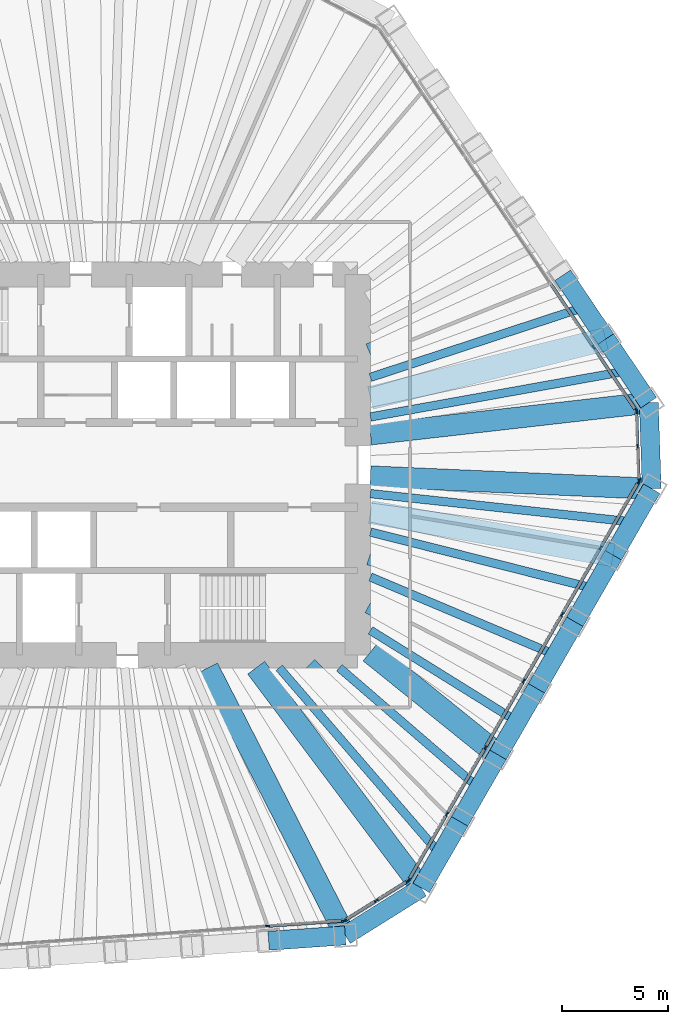
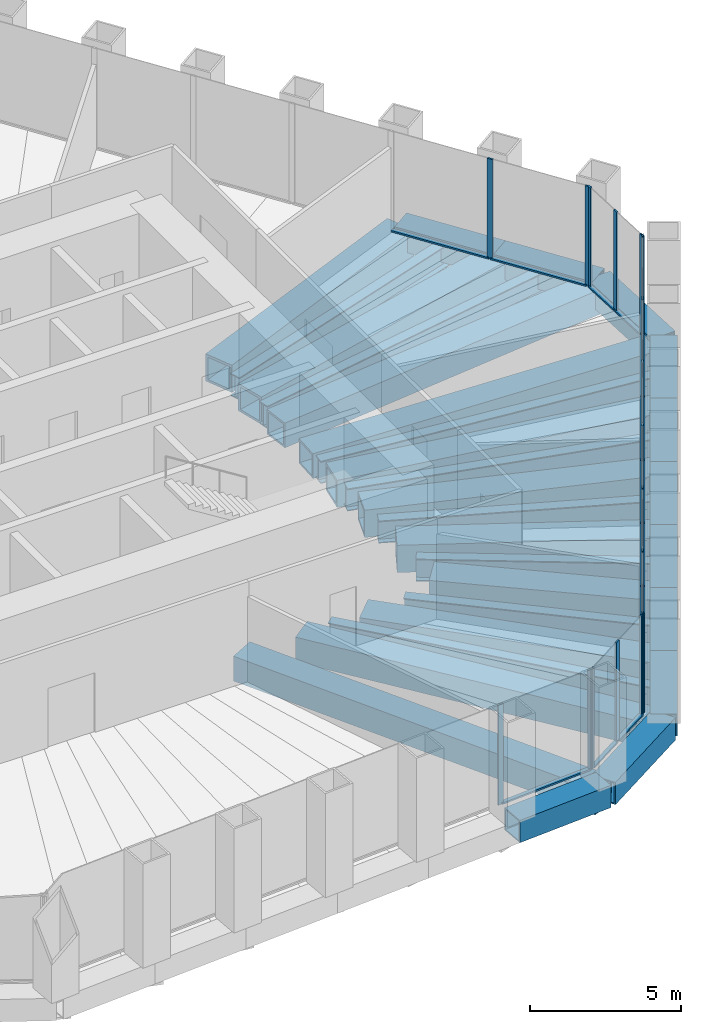
# One storey, part 4 of 12: 30 beams, 30 members, 5 elements without a shape of their own.
"""IFC4 building model written with IfcOpenShell, lengths in metres."""

from ifc_helpers import new_model, si_unit, direction, frame, origin, origin_2d, place, context, subcontext, project, spatial, rectangle, hollow_rectangle, i_section, extrude, material, material_profile, profile_set, type_object, element, aggregate, save


model = new_model("IFC4")

# Units and contexts
model_context = context("Model", 3, precision=1e-05, world=origin(), true_north=direction((0.0, 1.0)))
body_context = subcontext(model_context, "Body", "Model", "MODEL_VIEW")
ifc_project = project(units=[si_unit("LENGTHUNIT", "METRE"), si_unit("AREAUNIT", "SQUARE_METRE"), si_unit("VOLUMEUNIT", "CUBIC_METRE"), si_unit("PLANEANGLEUNIT", "RADIAN"), si_unit("MASSUNIT", "GRAM", prefix="KILO")], contexts=[model_context])

# Site, building, storey
site_placement = place(None, origin())
site = spatial("IfcSite", under=ifc_project, at=site_placement, CompositionType="ELEMENT")
building_placement = place(site_placement, origin())
building = spatial("IfcBuilding", under=site, at=building_placement, Name="Qingtian Harvest Tower", CompositionType="ELEMENT")
storey_placement = place(building_placement, frame((0.0, 0.0, 184.60009765625)))
storey = spatial("IfcBuildingStorey", under=building, at=storey_placement, Name="L39", CompositionType="ELEMENT", Elevation=184.60009765625)

# Beams
ifc_material_1 = material(Name="Steel SN490B", Category="steel")
ifc_material_profile_1 = material_profile(ifc_material_1, i_section(OverallWidth=0.39990234375, OverallDepth=0.89990234375, WebThickness=0.01904296875, FlangeThickness=0.035888671875, at=origin_2d()), Name="H900x400x19x36")
ifc_profile_set_1 = profile_set([ifc_material_profile_1], Name="Steel SN490B")
beam_type_1 = type_object("IfcBeamType", Name="Floor joist J4 H900x400x19x36", PredefinedType="JOIST", material=ifc_profile_set_1)
beam_1_placement = place(storey_placement, frame((22.71484375, 7.454833984375, -0.6201171875), z_axis=(-0.950138567513, -0.311828001508, 0.0), x_axis=(0.311828001508, -0.950138567513, 0.0)))
element("IfcBeam", 1, at=beam_1_placement, inside=storey, type_object=beam_type_1, Name="Floor joist J4 NE4", PredefinedType="JOIST", context=body_context, shape_type="SweptSolid", body=[
    extrude(i_section(OverallWidth=0.39990234375, OverallDepth=0.89990234375, WebThickness=0.01904296875, FlangeThickness=0.035888671875, at=origin_2d()), origin(), (0.0, 0.0, 1.0), 10.6455078125),
])
beam_2_placement = place(storey_placement, frame((24.74658203125, 4.4423828125, -0.6201171875), z_axis=(-0.98426723745, -0.176686177393, 0.0), x_axis=(0.176686177393, -0.98426723745, 0.0)))
element("IfcBeam", 2, at=beam_2_placement, inside=storey, type_object=beam_type_1, Name="Floor joist J4 NE5", PredefinedType="JOIST", context=body_context, shape_type="SweptSolid", body=[
    extrude(i_section(OverallWidth=0.39990234375, OverallDepth=0.89990234375, WebThickness=0.01904296875, FlangeThickness=0.035888671875, at=origin_2d()), origin(), (0.0, 0.0, 1.0), 12.340576171875),
])
beam_3_placement = place(storey_placement, frame((24.99609375, -2.705322265625, -0.6201171875), z_axis=(-0.994194656298, 0.107596400448, 0.0), x_axis=(-0.107596400448, -0.994194656298, 0.0)))
element("IfcBeam", 3, at=beam_3_placement, inside=storey, type_object=beam_type_1, Name="Floor joist J4 SE0", PredefinedType="JOIST", context=body_context, shape_type="SweptSolid", body=[
    extrude(i_section(OverallWidth=0.39990234375, OverallDepth=0.89990234375, WebThickness=0.01904296875, FlangeThickness=0.035888671875, at=origin_2d()), origin(), (0.0, 0.0, 1.0), 12.46826171875),
])
beam_4_placement = place(storey_placement, frame((23.179443359375, -5.85205078125, -0.6201171875), z_axis=(-0.969577887027, 0.244783007963, 0.0), x_axis=(-0.244783007963, -0.969577887027, 0.0)))
element("IfcBeam", 4, at=beam_4_placement, inside=storey, type_object=beam_type_1, Name="Floor joist J4 SE1", PredefinedType="JOIST", context=body_context, shape_type="SweptSolid", body=[
    extrude(i_section(OverallWidth=0.39990234375, OverallDepth=0.89990234375, WebThickness=0.01904296875, FlangeThickness=0.035888671875, at=origin_2d()), origin(), (0.0, 0.0, 1.0), 10.911376953125),
])
beam_5_placement = place(storey_placement, frame((21.362548828125, -8.998779296875, -0.6201171875), z_axis=(-0.921571079516, 0.388209666803, 0.0), x_axis=(-0.388209666803, -0.921571079516, 0.0)))
element("IfcBeam", 5, at=beam_5_placement, inside=storey, type_object=beam_type_1, Name="Floor joist J4 SE2", PredefinedType="JOIST", context=body_context, shape_type="SweptSolid", body=[
    extrude(i_section(OverallWidth=0.39990234375, OverallDepth=0.89990234375, WebThickness=0.01904296875, FlangeThickness=0.035888671875, at=origin_2d()), origin(), (0.0, 0.0, 1.0), 9.508056640625),
])
beam_6_placement = place(storey_placement, frame((19.5458984375, -12.1455078125, -0.6201171875), z_axis=(-0.849380822906, 0.527780463526, 0.0), x_axis=(-0.527780463526, -0.849380822906, 0.0)))
element("IfcBeam", 6, at=beam_6_placement, inside=storey, type_object=beam_type_1, Name="Floor joist J4 SE3", PredefinedType="JOIST", context=body_context, shape_type="SweptSolid", body=[
    extrude(i_section(OverallWidth=0.39990234375, OverallDepth=0.89990234375, WebThickness=0.01904296875, FlangeThickness=0.035888671875, at=origin_2d()), origin(), (0.0, 0.0, 1.0), 8.177490234375),
])
beam_7_placement = place(storey_placement, frame((17.72900390625, -15.292236328125, -0.6201171875), z_axis=(-0.757237954988, 0.653139096613, 0.0), x_axis=(-0.653139096613, -0.757237954988, 0.0)))
element("IfcBeam", 7, at=beam_7_placement, inside=storey, type_object=beam_type_1, Name="Floor joist J4 SE4", PredefinedType="JOIST", context=body_context, shape_type="SweptSolid", body=[
    extrude(i_section(OverallWidth=0.39990234375, OverallDepth=0.89990234375, WebThickness=0.01904296875, FlangeThickness=0.035888671875, at=origin_2d()), origin(), (0.0, 0.0, 1.0), 8.715087890625),
])
beam_8_placement = place(storey_placement, frame((15.912353515625, -18.43896484375, -0.6201171875), z_axis=(-0.653343257086, 0.757061812813, 0.0), x_axis=(-0.757061812813, -0.653343257086, 0.0)))
element("IfcBeam", 8, at=beam_8_placement, inside=storey, type_object=beam_type_1, Name="Floor joist J4 SE5", PredefinedType="JOIST", context=body_context, shape_type="SweptSolid", body=[
    extrude(i_section(OverallWidth=0.39990234375, OverallDepth=0.89990234375, WebThickness=0.01904296875, FlangeThickness=0.035888671875, at=origin_2d()), origin(), (0.0, 0.0, 1.0), 11.67529296875),
])

# Curtain wall, members
ifc_material_2 = material(Name="Bronze-anodised aluminium curtain wall", Category="aluminium")
curtain_wall_type = type_object("IfcCurtainWallType", Name="Curtain wall CW4 office", PredefinedType="USERDEFINED", material=ifc_material_2)
curtain_wall_1_placement = place(storey_placement, origin())
curtain_wall_1 = element("IfcCurtainWall", 9, at=curtain_wall_1_placement, inside=storey, type_object=curtain_wall_type, Name="Curtain wall CW4 L39 NE0-5", ObjectType="RECESSED CURTAIN WALL", PredefinedType="USERDEFINED")
ifc_material_3 = material(Name="Bronze-anodised aluminium mullion", Category="aluminium")
ifc_material_profile_2 = material_profile(ifc_material_3, rectangle(XDim=0.06494140625, YDim=0.199951171875, at=origin_2d()), Name="AL 65x200")
ifc_profile_set_2 = profile_set([ifc_material_profile_2], Name="Bronze-anodised aluminium mullion")
member_type_1 = type_object("IfcMemberType", Name="Mullion CWM 65x200", PredefinedType="MULLION", material=ifc_profile_set_2)
member_1_placement = place(storey_placement, frame((23.150390625, 5.55712890625, 0.0), z_axis=(0.0, 0.0, 1.0), x_axis=(0.829037572555, 0.559192903471, 0.0)))
member_1 = element("IfcMember", 10, at=member_1_placement, type_object=member_type_1, Name="CW4 mullion 6", PredefinedType="MULLION", context=body_context, shape_type="SweptSolid", body=[
    extrude(rectangle(XDim=0.06494140625, YDim=0.199951171875, at=origin_2d()), origin(), (0.0, 0.0, 1.0), 4.02978515625),
])
member_2_placement = place(storey_placement, frame((25.1640625, 2.57177734375, 0.0), z_axis=(0.0, 0.0, 1.0), x_axis=(0.829037572555, 0.559192903471, 0.0)))
member_2 = element("IfcMember", 11, at=member_2_placement, type_object=member_type_1, Name="CW4 mullion 7", PredefinedType="MULLION", context=body_context, shape_type="SweptSolid", body=[
    extrude(rectangle(XDim=0.06494140625, YDim=0.199951171875, at=origin_2d()), origin(), (0.0, 0.0, 1.0), 4.02978515625),
])

curtain_wall_2_placement = place(storey_placement, origin())
curtain_wall_2 = element("IfcCurtainWall", 12, at=curtain_wall_2_placement, inside=storey, type_object=curtain_wall_type, Name="Curtain wall CW4 L39 NEC", ObjectType="RECESSED CURTAIN WALL", PredefinedType="USERDEFINED")
member_3_placement = place(storey_placement, frame((25.183349609375, 2.51220703125, 0.0), z_axis=(0.0, 0.0, 1.0), x_axis=(0.999390827019, 0.034899496703, 0.0)))
member_3 = element("IfcMember", 13, at=member_3_placement, type_object=member_type_1, Name="CW4 mullion 1", PredefinedType="MULLION", context=body_context, shape_type="SweptSolid", body=[
    extrude(rectangle(XDim=0.06494140625, YDim=0.199951171875, at=origin_2d()), origin(), (0.0, 0.0, 1.0), 4.02978515625),
])
member_4_placement = place(storey_placement, frame((25.240234375, 0.88134765625, 0.0), z_axis=(0.0, 0.0, 1.0), x_axis=(0.999390827019, 0.034899496703, 0.0)))
member_4 = element("IfcMember", 14, at=member_4_placement, type_object=member_type_1, Name="CW4 mullion 2", PredefinedType="MULLION", context=body_context, shape_type="SweptSolid", body=[
    extrude(rectangle(XDim=0.06494140625, YDim=0.199951171875, at=origin_2d()), origin(), (0.0, 0.0, 1.0), 4.02978515625),
])
member_5_placement = place(storey_placement, frame((25.297119140625, -0.74951171875, 0.0), z_axis=(0.0, 0.0, 1.0), x_axis=(0.999390827019, 0.034899496703, 0.0)))
member_5 = element("IfcMember", 15, at=member_5_placement, type_object=member_type_1, Name="CW4 mullion 3", PredefinedType="MULLION", context=body_context, shape_type="SweptSolid", body=[
    extrude(rectangle(XDim=0.06494140625, YDim=0.199951171875, at=origin_2d()), origin(), (0.0, 0.0, 1.0), 4.02978515625),
])

curtain_wall_3_placement = place(storey_placement, origin())
curtain_wall_3 = element("IfcCurtainWall", 16, at=curtain_wall_3_placement, inside=storey, type_object=curtain_wall_type, Name="Curtain wall CW4 L39 SE0-5", ObjectType="RECESSED CURTAIN WALL", PredefinedType="USERDEFINED")
member_6_placement = place(storey_placement, frame((25.2822265625, -0.81005859375, 0.0), z_axis=(0.0, 0.0, 1.0), x_axis=(0.866025403784, -0.5, 0.0)))
member_6 = element("IfcMember", 17, at=member_6_placement, type_object=member_type_1, Name="CW4 mullion 1", PredefinedType="MULLION", context=body_context, shape_type="SweptSolid", body=[
    extrude(rectangle(XDim=0.06494140625, YDim=0.199951171875, at=origin_2d()), origin(), (0.0, 0.0, 1.0), 4.02978515625),
])
member_7_placement = place(storey_placement, frame((23.481689453125, -3.9287109375, 0.0), z_axis=(0.0, 0.0, 1.0), x_axis=(0.866025403784, -0.5, 0.0)))
member_7 = element("IfcMember", 18, at=member_7_placement, type_object=member_type_1, Name="CW4 mullion 2", PredefinedType="MULLION", context=body_context, shape_type="SweptSolid", body=[
    extrude(rectangle(XDim=0.06494140625, YDim=0.199951171875, at=origin_2d()), origin(), (0.0, 0.0, 1.0), 4.02978515625),
])
member_8_placement = place(storey_placement, frame((21.664794921875, -7.075439453125, 0.0), z_axis=(0.0, 0.0, 1.0), x_axis=(0.866025403784, -0.5, 0.0)))
member_8 = element("IfcMember", 19, at=member_8_placement, type_object=member_type_1, Name="CW4 mullion 3", PredefinedType="MULLION", context=body_context, shape_type="SweptSolid", body=[
    extrude(rectangle(XDim=0.06494140625, YDim=0.199951171875, at=origin_2d()), origin(), (0.0, 0.0, 1.0), 4.02978515625),
])
member_9_placement = place(storey_placement, frame((19.84814453125, -10.22216796875, 0.0), z_axis=(0.0, 0.0, 1.0), x_axis=(0.866025403784, -0.5, 0.0)))
member_9 = element("IfcMember", 20, at=member_9_placement, type_object=member_type_1, Name="CW4 mullion 4", PredefinedType="MULLION", context=body_context, shape_type="SweptSolid", body=[
    extrude(rectangle(XDim=0.06494140625, YDim=0.199951171875, at=origin_2d()), origin(), (0.0, 0.0, 1.0), 4.02978515625),
])
member_10_placement = place(storey_placement, frame((18.03125, -13.368896484375, 0.0), z_axis=(0.0, 0.0, 1.0), x_axis=(0.866025403784, -0.5, 0.0)))
member_10 = element("IfcMember", 21, at=member_10_placement, type_object=member_type_1, Name="CW4 mullion 5", PredefinedType="MULLION", context=body_context, shape_type="SweptSolid", body=[
    extrude(rectangle(XDim=0.06494140625, YDim=0.199951171875, at=origin_2d()), origin(), (0.0, 0.0, 1.0), 4.02978515625),
])
member_11_placement = place(storey_placement, frame((16.214599609375, -16.515625, 0.0), z_axis=(0.0, 0.0, 1.0), x_axis=(0.866025403784, -0.5, 0.0)))
member_11 = element("IfcMember", 22, at=member_11_placement, type_object=member_type_1, Name="CW4 mullion 6", PredefinedType="MULLION", context=body_context, shape_type="SweptSolid", body=[
    extrude(rectangle(XDim=0.06494140625, YDim=0.199951171875, at=origin_2d()), origin(), (0.0, 0.0, 1.0), 4.02978515625),
])
member_12_placement = place(storey_placement, frame((14.4140625, -19.63427734375, 0.0), z_axis=(0.0, 0.0, 1.0), x_axis=(0.866025403784, -0.5, 0.0)))
member_12 = element("IfcMember", 23, at=member_12_placement, type_object=member_type_1, Name="CW4 mullion 7", PredefinedType="MULLION", context=body_context, shape_type="SweptSolid", body=[
    extrude(rectangle(XDim=0.06494140625, YDim=0.199951171875, at=origin_2d()), origin(), (0.0, 0.0, 1.0), 4.02978515625),
])

curtain_wall_4_placement = place(storey_placement, origin())
curtain_wall_4 = element("IfcCurtainWall", 24, at=curtain_wall_4_placement, inside=storey, type_object=curtain_wall_type, Name="Curtain wall CW4 L39 SEC", ObjectType="RECESSED CURTAIN WALL", PredefinedType="USERDEFINED")
member_13_placement = place(storey_placement, frame((14.3701171875, -19.6796875, 0.0), z_axis=(0.0, 0.0, 1.0), x_axis=(0.529919264233, -0.848048096156, 0.0)))
member_13 = element("IfcMember", 25, at=member_13_placement, type_object=member_type_1, Name="CW4 mullion 1", PredefinedType="MULLION", context=body_context, shape_type="SweptSolid", body=[
    extrude(rectangle(XDim=0.06494140625, YDim=0.199951171875, at=origin_2d()), origin(), (0.0, 0.0, 1.0), 4.02978515625),
])
member_14_placement = place(storey_placement, frame((12.87939453125, -20.611328125, 0.0), z_axis=(0.0, 0.0, 1.0), x_axis=(0.529919264233, -0.848048096156, 0.0)))
member_14 = element("IfcMember", 26, at=member_14_placement, type_object=member_type_1, Name="CW4 mullion 2", PredefinedType="MULLION", context=body_context, shape_type="SweptSolid", body=[
    extrude(rectangle(XDim=0.06494140625, YDim=0.199951171875, at=origin_2d()), origin(), (0.0, 0.0, 1.0), 4.02978515625),
])
member_15_placement = place(storey_placement, frame((11.388427734375, -21.542724609375, 0.0), z_axis=(0.0, 0.0, 1.0), x_axis=(0.529919264233, -0.848048096156, 0.0)))
member_15 = element("IfcMember", 27, at=member_15_placement, type_object=member_type_1, Name="CW4 mullion 3", PredefinedType="MULLION", context=body_context, shape_type="SweptSolid", body=[
    extrude(rectangle(XDim=0.06494140625, YDim=0.199951171875, at=origin_2d()), origin(), (0.0, 0.0, 1.0), 4.02978515625),
])

curtain_wall_5_placement = place(storey_placement, origin())
curtain_wall_5 = element("IfcCurtainWall", 28, at=curtain_wall_5_placement, inside=storey, type_object=curtain_wall_type, Name="Curtain wall CW4 L39 S0-5", ObjectType="RECESSED CURTAIN WALL", PredefinedType="USERDEFINED")
member_16_placement = place(storey_placement, frame((11.32861328125, -21.562255859375, 0.0), z_axis=(0.0, 0.0, 1.0), x_axis=(0.069756473744, -0.99756405026, 0.0)))
member_16 = element("IfcMember", 29, at=member_16_placement, type_object=member_type_1, Name="CW4 mullion 1", PredefinedType="MULLION", context=body_context, shape_type="SweptSolid", body=[
    extrude(rectangle(XDim=0.06494140625, YDim=0.199951171875, at=origin_2d()), origin(), (0.0, 0.0, 1.0), 4.02978515625),
])
member_17_placement = place(storey_placement, frame((7.736328125, -21.8134765625, 0.0), z_axis=(0.0, 0.0, 1.0), x_axis=(0.069756473744, -0.99756405026, 0.0)))
member_17 = element("IfcMember", 30, at=member_17_placement, type_object=member_type_1, Name="CW4 mullion 2", PredefinedType="MULLION", context=body_context, shape_type="SweptSolid", body=[
    extrude(rectangle(XDim=0.06494140625, YDim=0.199951171875, at=origin_2d()), origin(), (0.0, 0.0, 1.0), 4.02978515625),
])

# Beams
ifc_material_4 = material(Name="Steel SM570MC", Category="steel")
ifc_material_profile_3 = material_profile(ifc_material_4, hollow_rectangle(XDim=1.0, YDim=1.0, WallThickness=0.080078125, at=origin_2d()), Name="BOX1000x1000x80")
ifc_profile_set_3 = profile_set([ifc_material_profile_3], Name="Steel SM570MC")
beam_type_2 = type_object("IfcBeamType", Name="Transfer corner beam FB11 BOX1000x1000x80", PredefinedType="BEAM", material=ifc_profile_set_3)
beam_9_placement = place(storey_placement, frame((25.762451171875, 2.936279296875, -0.670166015625), z_axis=(-0.993566901619, -0.113246686522, 0.0), x_axis=(0.113246686522, -0.993566901619, 0.0)))
element("IfcBeam", 31, at=beam_9_placement, inside=storey, type_object=beam_type_2, Name="Floor beam FB11 NE6", PredefinedType="BEAM", context=body_context, shape_type="SweptSolid", body=[
    extrude(hollow_rectangle(XDim=1.0, YDim=1.0, WallThickness=0.080078125, at=origin_2d()), origin(), (0.0, 0.0, 1.0), 13.24755859375),
])
beam_10_placement = place(storey_placement, frame((25.904541015625, -1.1318359375, -0.670166015625), z_axis=(-0.999046865424, 0.043650437408, 0.0), x_axis=(-0.043650437408, -0.999046865424, 0.0)))
element("IfcBeam", 32, at=beam_10_placement, inside=storey, type_object=beam_type_2, Name="Floor beam FB11 SE0", PredefinedType="BEAM", context=body_context, shape_type="SweptSolid", body=[
    extrude(hollow_rectangle(XDim=1.0, YDim=1.0, WallThickness=0.080078125, at=origin_2d()), origin(), (0.0, 0.0, 1.0), 13.317138671875),
])
beam_11_placement = place(storey_placement, frame((15.00390625, -20.012451171875, -0.670166015625), z_axis=(-0.599858913609, 0.800105795357, 0.0), x_axis=(-0.800105795357, -0.599858913609, 0.0)))
element("IfcBeam", 33, at=beam_11_placement, inside=storey, type_object=beam_type_2, Name="Floor beam FB11 SE6", PredefinedType="BEAM", context=body_context, shape_type="SweptSolid", body=[
    extrude(hollow_rectangle(XDim=1.0, YDim=1.0, WallThickness=0.080078125, at=origin_2d()), origin(), (0.0, 0.0, 1.0), 13.013671875),
])
beam_12_placement = place(storey_placement, frame((11.40966796875, -22.25830078125, -0.670166015625), z_axis=(-0.456157396608, 0.889899111989, 0.0), x_axis=(-0.889899111989, -0.456157396608, 0.0)))
element("IfcBeam", 34, at=beam_12_placement, inside=storey, type_object=beam_type_2, Name="Floor beam FB11 S0", PredefinedType="BEAM", context=body_context, shape_type="SweptSolid", body=[
    extrude(hollow_rectangle(XDim=1.0, YDim=1.0, WallThickness=0.080078125, at=origin_2d()), origin(), (0.0, 0.0, 1.0), 14.224365234375),
])
ifc_material_5 = material(Name="Steel SM570MC", Category="steel")
ifc_material_profile_4 = material_profile(ifc_material_5, hollow_rectangle(XDim=1.10009765625, YDim=1.10009765625, WallThickness=0.10009765625, at=origin_2d()), Name="BOX1100x1100x100")
ifc_profile_set_4 = profile_set([ifc_material_profile_4], Name="Steel SM570MC")
beam_type_3 = type_object("IfcBeamType", Name="Transfer floor beam FB9 BOX1100x1100x100", PredefinedType="BEAM", material=ifc_profile_set_4)
beam_13_placement = place(storey_placement, frame((21.69873046875, 8.9609375, -0.72021484375), z_axis=(-0.924281590361, -0.381711332973, 0.0), x_axis=(0.381711332973, -0.924281590361, 0.0)))
element("IfcBeam", 35, at=beam_13_placement, inside=storey, type_object=beam_type_3, Name="Floor beam FB9 NE4", PredefinedType="BEAM", context=body_context, shape_type="SweptSolid", body=[
    extrude(hollow_rectangle(XDim=1.10009765625, YDim=1.10009765625, WallThickness=0.10009765625, at=origin_2d()), origin(), (0.0, 0.0, 1.0), 9.843994140625),
])
beam_14_placement = place(storey_placement, frame((23.730712890625, 5.948486328125, -0.72021484375), z_axis=(-0.969990876487, -0.243141315972, 0.0), x_axis=(0.243141315972, -0.969990876487, 0.0)))
element("IfcBeam", 36, at=beam_14_placement, inside=storey, type_object=beam_type_3, Name="Floor beam FB9 NE5", PredefinedType="BEAM", context=body_context, shape_type="SweptSolid", body=[
    extrude(hollow_rectangle(XDim=1.10009765625, YDim=1.10009765625, WallThickness=0.10009765625, at=origin_2d()), origin(), (0.0, 0.0, 1.0), 11.474853515625),
])
beam_15_placement = place(storey_placement, frame((24.087890625, -4.27880859375, -0.72021484375), z_axis=(-0.98458469654, 0.174908477034, 0.0), x_axis=(-0.174908477034, -0.98458469654, 0.0)))
element("IfcBeam", 37, at=beam_15_placement, inside=storey, type_object=beam_type_3, Name="Floor beam FB9 SE1", PredefinedType="BEAM", context=body_context, shape_type="SweptSolid", body=[
    extrude(hollow_rectangle(XDim=1.10009765625, YDim=1.10009765625, WallThickness=0.10009765625, at=origin_2d()), origin(), (0.0, 0.0, 1.0), 11.667724609375),
])
beam_16_placement = place(storey_placement, frame((22.27099609375, -7.425537109375, -0.72021484375), z_axis=(-0.948654555734, 0.316313979908, 0.0), x_axis=(-0.316313979908, -0.948654555734, 0.0)))
element("IfcBeam", 38, at=beam_16_placement, inside=storey, type_object=beam_type_3, Name="Floor beam FB9 SE2", PredefinedType="BEAM", context=body_context, shape_type="SweptSolid", body=[
    extrude(hollow_rectangle(XDim=1.10009765625, YDim=1.10009765625, WallThickness=0.10009765625, at=origin_2d()), origin(), (0.0, 0.0, 1.0), 10.1943359375),
])
beam_17_placement = place(storey_placement, frame((20.454345703125, -10.572265625, -0.72021484375), z_axis=(-0.888343501027, 0.459179511938, 0.0), x_axis=(-0.459179511938, -0.888343501027, 0.0)))
element("IfcBeam", 39, at=beam_17_placement, inside=storey, type_object=beam_type_3, Name="Floor beam FB9 SE3", PredefinedType="BEAM", context=body_context, shape_type="SweptSolid", body=[
    extrude(hollow_rectangle(XDim=1.10009765625, YDim=1.10009765625, WallThickness=0.10009765625, at=origin_2d()), origin(), (0.0, 0.0, 1.0), 8.841552734375),
])
beam_18_placement = place(storey_placement, frame((18.637451171875, -13.718994140625, -0.72021484375), z_axis=(-0.77840907003, 0.62775737327, 0.0), x_axis=(-0.62775737327, -0.77840907003, 0.0)))
element("IfcBeam", 40, at=beam_18_placement, inside=storey, type_object=beam_type_3, Name="Floor beam FB9 SE4", PredefinedType="BEAM", context=body_context, shape_type="SweptSolid", body=[
    extrude(hollow_rectangle(XDim=1.10009765625, YDim=1.10009765625, WallThickness=0.10009765625, at=origin_2d()), origin(), (0.0, 0.0, 1.0), 7.756103515625),
])
beam_19_placement = place(storey_placement, frame((16.82080078125, -16.86572265625, -0.72021484375), z_axis=(-0.70616637797, 0.708045935392, 0.0), x_axis=(-0.708045935392, -0.70616637797, 0.0)))
element("IfcBeam", 41, at=beam_19_placement, inside=storey, type_object=beam_type_3, Name="Floor beam FB9 SE5", PredefinedType="BEAM", context=body_context, shape_type="SweptSolid", body=[
    extrude(hollow_rectangle(XDim=1.10009765625, YDim=1.10009765625, WallThickness=0.10009765625, at=origin_2d()), origin(), (0.0, 0.0, 1.0), 10.261474609375),
])
ifc_material_6 = material(Name="Steel SM570MC", Category="steel")
ifc_material_profile_5 = material_profile(ifc_material_6, hollow_rectangle(XDim=0.89990234375, YDim=0.89990234375, WallThickness=0.050048828125, at=origin_2d()), Name="BOX900x900x50")
ifc_profile_set_5 = profile_set([ifc_material_profile_5], Name="Steel SM570MC")
beam_type_4 = type_object("IfcBeamType", Name="Transition spandrel SB6 BOX900x900x50", PredefinedType="SPANDREL", material=ifc_profile_set_5)
beam_20_placement = place(storey_placement, frame((21.69873046875, 8.9609375, -0.4501953125), z_axis=(0.55920395902, -0.829030115385, 0.0), x_axis=(0.829030115385, 0.55920395902, 0.0)))
element("IfcBeam", 42, at=beam_20_placement, inside=storey, type_object=beam_type_4, Name="Spandrel SB6 NE4", PredefinedType="SPANDREL", context=body_context, shape_type="SweptSolid", body=[
    extrude(hollow_rectangle(XDim=0.89990234375, YDim=0.89990234375, WallThickness=0.050048828125, at=origin_2d()), origin(), (0.0, 0.0, 1.0), 3.6337890625),
])
beam_21_placement = place(storey_placement, frame((23.730712890625, 5.948486328125, -0.4501953125), z_axis=(0.559188928021, -0.829040254016, 0.0), x_axis=(0.829040254016, 0.559188928021, 0.0)))
element("IfcBeam", 43, at=beam_21_placement, inside=storey, type_object=beam_type_4, Name="Spandrel SB6 NE5", PredefinedType="SPANDREL", context=body_context, shape_type="SweptSolid", body=[
    extrude(hollow_rectangle(XDim=0.89990234375, YDim=0.89990234375, WallThickness=0.050048828125, at=origin_2d()), origin(), (0.0, 0.0, 1.0), 3.63330078125),
])
beam_22_placement = place(storey_placement, frame((25.762451171875, 2.936279296875, -0.4501953125), z_axis=(0.03490639867, -0.999390585973, 0.0), x_axis=(0.999390585973, 0.03490639867, 0.0)))
element("IfcBeam", 44, at=beam_22_placement, inside=storey, type_object=beam_type_4, Name="Spandrel SB6 NEC", PredefinedType="SPANDREL", context=body_context, shape_type="SweptSolid", body=[
    extrude(hollow_rectangle(XDim=0.89990234375, YDim=0.89990234375, WallThickness=0.050048828125, at=origin_2d()), origin(), (0.0, 0.0, 1.0), 4.070556640625),
])
beam_23_placement = place(storey_placement, frame((25.904541015625, -1.1318359375, -0.4501953125), z_axis=(-0.499947341849, -0.866055803848, 0.0), x_axis=(0.866055803848, -0.499947341849, 0.0)))
element("IfcBeam", 45, at=beam_23_placement, inside=storey, type_object=beam_type_4, Name="Spandrel SB6 SE0", PredefinedType="SPANDREL", context=body_context, shape_type="SweptSolid", body=[
    extrude(hollow_rectangle(XDim=0.89990234375, YDim=0.89990234375, WallThickness=0.050048828125, at=origin_2d()), origin(), (0.0, 0.0, 1.0), 3.6337890625),
])
for number, where, z_axis, x_axis, name in (
    (46, (24.087890625, -4.27880859375, -0.4501953125), (-0.500026827678, -0.866009914263, 0.0), (0.866009914263, -0.500026827678, 0.0), "Spandrel SB6 SE1"),
    (47, (22.27099609375, -7.425537109375, -0.4501953125), (-0.499976434558, -0.866039008871, 0.0), (0.866039008871, -0.499976434558, 0.0), "Spandrel SB6 SE2"),
    (48, (20.454345703125, -10.572265625, -0.4501953125), (-0.500026827678, -0.866009914263, 0.0), (0.866009914263, -0.500026827678, 0.0), "Spandrel SB6 SE3"),
    (49, (18.637451171875, -13.718994140625, -0.4501953125), (-0.499976434558, -0.866039008871, 0.0), (0.866039008871, -0.499976434558, 0.0), "Spandrel SB6 SE4"),
    (50, (16.82080078125, -16.86572265625, -0.4501953125), (-0.500026827678, -0.866009914263, 0.0), (0.866009914263, -0.500026827678, 0.0), "Spandrel SB6 SE5"),
):
    element("IfcBeam", number, at=place(storey_placement, frame(where, z_axis=z_axis, x_axis=x_axis)), inside=storey, type_object=beam_type_4, Name=name, PredefinedType="SPANDREL", context=body_context, shape_type="SweptSolid", body=[
        extrude(hollow_rectangle(XDim=0.89990234375, YDim=0.89990234375, WallThickness=0.050048828125, at=origin_2d()), origin(), (0.0, 0.0, 1.0), 3.633544921875),
    ])
beam_24_placement = place(storey_placement, frame((15.00390625, -20.012451171875, -0.4501953125), z_axis=(-0.848056550838, -0.529905733675, 0.0), x_axis=(0.529905733675, -0.848056550838, 0.0)))
element("IfcBeam", 51, at=beam_24_placement, inside=storey, type_object=beam_type_4, Name="Spandrel SB6 SEC", PredefinedType="SPANDREL", context=body_context, shape_type="SweptSolid", body=[
    extrude(hollow_rectangle(XDim=0.89990234375, YDim=0.89990234375, WallThickness=0.050048828125, at=origin_2d()), origin(), (0.0, 0.0, 1.0), 4.23828125),
])
beam_25_placement = place(storey_placement, frame((11.40966796875, -22.25830078125, -0.4501953125), z_axis=(-0.997564674207, -0.069747550305, 0.0), x_axis=(0.069747550305, -0.997564674207, 0.0)))
element("IfcBeam", 52, at=beam_25_placement, inside=storey, type_object=beam_type_4, Name="Spandrel SB6 S0", PredefinedType="SPANDREL", context=body_context, shape_type="SweptSolid", body=[
    extrude(hollow_rectangle(XDim=0.89990234375, YDim=0.89990234375, WallThickness=0.050048828125, at=origin_2d()), origin(), (0.0, 0.0, 1.0), 3.63330078125),
])

# Member
ifc_material_7 = material(Name="Bronze-anodised aluminium transom", Category="aluminium")
ifc_material_profile_6 = material_profile(ifc_material_7, rectangle(XDim=0.14990234375, YDim=0.06494140625, at=origin_2d()), Name="AL 65x150")
ifc_profile_set_6 = profile_set([ifc_material_profile_6], Name="Bronze-anodised aluminium transom")
member_type_2 = type_object("IfcMemberType", Name="Transom CWT 65x150", PredefinedType="USERDEFINED", material=ifc_profile_set_6)
member_18_placement = place(storey_placement, frame((21.13671875, 8.54248046875, 0.032470703125), z_axis=(0.559160259871, -0.829059590006, 0.0), x_axis=(0.829059590006, 0.559160259871, 0.0)))
member_18 = element("IfcMember", 53, at=member_18_placement, type_object=member_type_2, Name="CW4 transom 5.1", ObjectType="TRANSOM", PredefinedType="USERDEFINED", context=body_context, shape_type="SweptSolid", body=[
    extrude(rectangle(XDim=0.14990234375, YDim=0.06494140625, at=origin_2d()), origin(), (0.0, 0.0, 1.0), 3.568603515625),
])

member_19_placement = place(storey_placement, frame((23.16845703125, 5.5302734375, 0.032470703125), z_axis=(0.559169259008, -0.829053520456, 0.0), x_axis=(0.829053520456, 0.559169259008, 0.0)))
member_19 = element("IfcMember", 54, at=member_19_placement, type_object=member_type_2, Name="CW4 transom 6.1", ObjectType="TRANSOM", PredefinedType="USERDEFINED", context=body_context, shape_type="SweptSolid", body=[
    extrude(rectangle(XDim=0.14990234375, YDim=0.06494140625, at=origin_2d()), origin(), (0.0, 0.0, 1.0), 3.5361328125),
])

aggregate(curtain_wall_1, [member_1, member_2, member_18, member_19])

member_20_placement = place(storey_placement, frame((25.1845703125, 2.479736328125, 0.032470703125), z_axis=(0.034902326647, -0.999390728191, 0.0), x_axis=(0.999390728191, 0.034902326647, 0.0)))
member_20 = element("IfcMember", 55, at=member_20_placement, type_object=member_type_2, Name="CW4 transom 1.1", ObjectType="TRANSOM", PredefinedType="USERDEFINED", context=body_context, shape_type="SweptSolid", body=[
    extrude(rectangle(XDim=0.14990234375, YDim=0.06494140625, at=origin_2d()), origin(), (0.0, 0.0, 1.0), 1.56689453125),
])

member_21_placement = place(storey_placement, frame((25.241455078125, 0.848876953125, 0.032470703125), z_axis=(0.034902326647, -0.999390728191, 0.0), x_axis=(0.999390728191, 0.034902326647, 0.0)))
member_21 = element("IfcMember", 56, at=member_21_placement, type_object=member_type_2, Name="CW4 transom 2.1", ObjectType="TRANSOM", PredefinedType="USERDEFINED", context=body_context, shape_type="SweptSolid", body=[
    extrude(rectangle(XDim=0.14990234375, YDim=0.06494140625, at=origin_2d()), origin(), (0.0, 0.0, 1.0), 1.56689453125),
])

aggregate(curtain_wall_2, [member_3, member_4, member_5, member_20, member_21])

member_22_placement = place(storey_placement, frame((25.265869140625, -0.838134765625, 0.032470703125), z_axis=(-0.499985409597, -0.866033827394, 0.0), x_axis=(0.866033827394, -0.499985409597, 0.0)))
member_22 = element("IfcMember", 57, at=member_22_placement, type_object=member_type_2, Name="CW4 transom 1.1", ObjectType="TRANSOM", PredefinedType="USERDEFINED", context=body_context, shape_type="SweptSolid", body=[
    extrude(rectangle(XDim=0.14990234375, YDim=0.06494140625, at=origin_2d()), origin(), (0.0, 0.0, 1.0), 3.5361328125),
])

member_23_placement = place(storey_placement, frame((23.46533203125, -3.956787109375, 0.032470703125), z_axis=(-0.499965259726, -0.866045460162, 0.0), x_axis=(0.866045460162, -0.499965259726, 0.0)))
member_23 = element("IfcMember", 58, at=member_23_placement, type_object=member_type_2, Name="CW4 transom 2.1", ObjectType="TRANSOM", PredefinedType="USERDEFINED", context=body_context, shape_type="SweptSolid", body=[
    extrude(rectangle(XDim=0.14990234375, YDim=0.06494140625, at=origin_2d()), origin(), (0.0, 0.0, 1.0), 3.568603515625),
])

member_24_placement = place(storey_placement, frame((21.648681640625, -7.103515625, 0.032470703125), z_axis=(-0.500016569533, -0.866015837149, 0.0), x_axis=(0.866015837149, -0.500016569533, 0.0)))
member_24 = element("IfcMember", 59, at=member_24_placement, type_object=member_type_2, Name="CW4 transom 3.1", ObjectType="TRANSOM", PredefinedType="USERDEFINED", context=body_context, shape_type="SweptSolid", body=[
    extrude(rectangle(XDim=0.14990234375, YDim=0.06494140625, at=origin_2d()), origin(), (0.0, 0.0, 1.0), 3.56884765625),
])

member_25_placement = place(storey_placement, frame((19.831787109375, -10.250244140625, 0.032470703125), z_axis=(-0.499965259726, -0.866045460162, 0.0), x_axis=(0.866045460162, -0.499965259726, 0.0)))
member_25 = element("IfcMember", 60, at=member_25_placement, type_object=member_type_2, Name="CW4 transom 4.1", ObjectType="TRANSOM", PredefinedType="USERDEFINED", context=body_context, shape_type="SweptSolid", body=[
    extrude(rectangle(XDim=0.14990234375, YDim=0.06494140625, at=origin_2d()), origin(), (0.0, 0.0, 1.0), 3.568603515625),
])

member_26_placement = place(storey_placement, frame((18.014892578125, -13.39697265625, 0.032470703125), z_axis=(-0.499965259726, -0.866045460162, 0.0), x_axis=(0.866045460162, -0.499965259726, 0.0)))
member_26 = element("IfcMember", 61, at=member_26_placement, type_object=member_type_2, Name="CW4 transom 5.1", ObjectType="TRANSOM", PredefinedType="USERDEFINED", context=body_context, shape_type="SweptSolid", body=[
    extrude(rectangle(XDim=0.14990234375, YDim=0.06494140625, at=origin_2d()), origin(), (0.0, 0.0, 1.0), 3.568603515625),
])

member_27_placement = place(storey_placement, frame((16.1982421875, -16.5439453125, 0.032470703125), z_axis=(-0.500015305566, -0.866016566931, 0.0), x_axis=(0.866016566931, -0.500015305566, 0.0)))
member_27 = element("IfcMember", 62, at=member_27_placement, type_object=member_type_2, Name="CW4 transom 6.1", ObjectType="TRANSOM", PredefinedType="USERDEFINED", context=body_context, shape_type="SweptSolid", body=[
    extrude(rectangle(XDim=0.14990234375, YDim=0.06494140625, at=origin_2d()), origin(), (0.0, 0.0, 1.0), 3.5361328125),
])

aggregate(curtain_wall_3, [member_6, member_7, member_8, member_9, member_10, member_11, member_12, member_22, member_23, member_24, member_25, member_26, member_27])

member_28_placement = place(storey_placement, frame((14.342529296875, -19.69677734375, 0.032470703125), z_axis=(-0.847998304005, -0.529998940003, 0.0), x_axis=(0.529998940003, -0.847998304005, 0.0)))
member_28 = element("IfcMember", 63, at=member_28_placement, type_object=member_type_2, Name="CW4 transom 1.1", ObjectType="TRANSOM", PredefinedType="USERDEFINED", context=body_context, shape_type="SweptSolid", body=[
    extrude(rectangle(XDim=0.14990234375, YDim=0.06494140625, at=origin_2d()), origin(), (0.0, 0.0, 1.0), 1.69287109375),
])

member_29_placement = place(storey_placement, frame((12.851806640625, -20.62841796875, 0.032470703125), z_axis=(-0.84803880708, -0.529934129573, 0.0), x_axis=(0.529934129573, -0.84803880708, 0.0)))
member_29 = element("IfcMember", 64, at=member_29_placement, type_object=member_type_2, Name="CW4 transom 2.1", ObjectType="TRANSOM", PredefinedType="USERDEFINED", context=body_context, shape_type="SweptSolid", body=[
    extrude(rectangle(XDim=0.14990234375, YDim=0.06494140625, at=origin_2d()), origin(), (0.0, 0.0, 1.0), 1.693115234375),
])

aggregate(curtain_wall_4, [member_13, member_14, member_15, member_28, member_29])

member_30_placement = place(storey_placement, frame((11.296142578125, -21.564453125, 0.032470703125), z_axis=(-0.997561034679, -0.069799585166, 0.0), x_axis=(0.069799585166, -0.997561034679, 0.0)))
member_30 = element("IfcMember", 65, at=member_30_placement, type_object=member_type_2, Name="CW4 transom 1.1", ObjectType="TRANSOM", PredefinedType="USERDEFINED", context=body_context, shape_type="SweptSolid", body=[
    extrude(rectangle(XDim=0.14990234375, YDim=0.06494140625, at=origin_2d()), origin(), (0.0, 0.0, 1.0), 3.5361328125),
])

aggregate(curtain_wall_5, [member_16, member_17, member_30])

save(model, "model.ifc")
